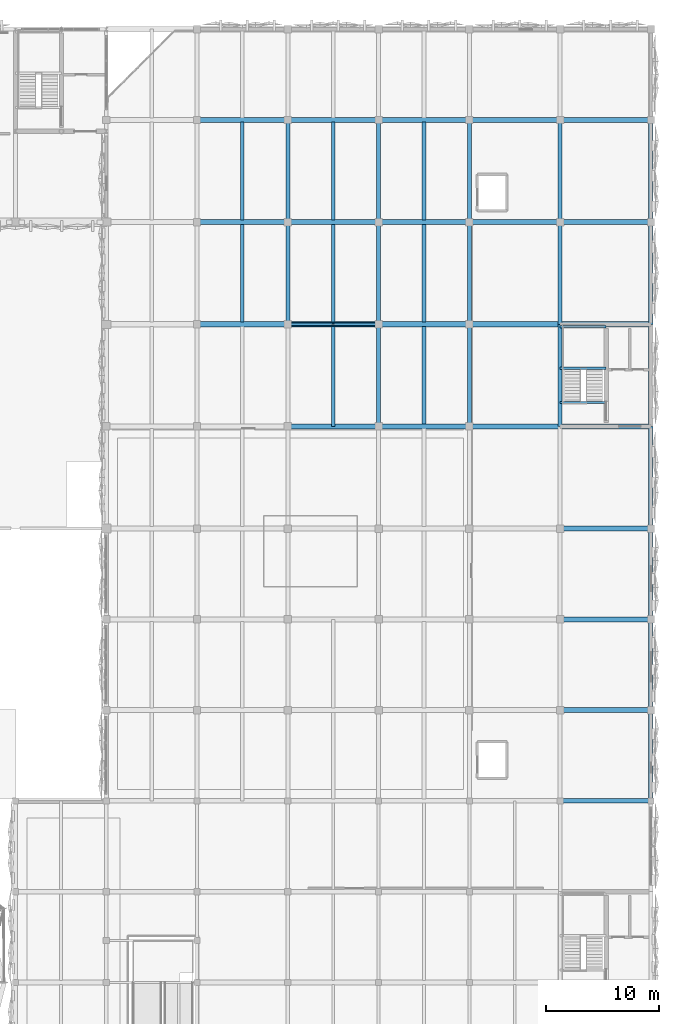
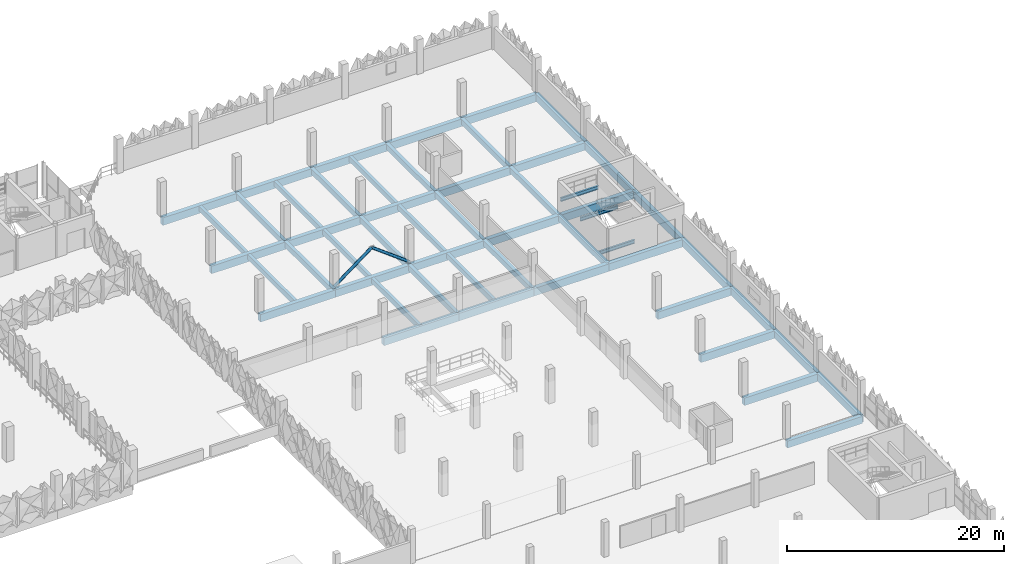
# One storey, part 32 of 96: 52 beams, 2 members.
"""IFC4 building model written with IfcOpenShell, lengths in metres."""

from ifc_helpers import new_model, si_unit, derived_unit, direction, frame, origin, origin_2d, place, context, subcontext, project, spatial, rectangle, hollow_circle, i_section, extrude, material, material_profile, profile_set, type_object, element, save


model = new_model("IFC4")

# Units and contexts
model_context = context("Model", 3, precision=1e-05, world=origin(), true_north=direction((0.0, 1.0)))
body_context = subcontext(model_context, "Body", "Model", "MODEL_VIEW")
ifc_project = project(units=[si_unit("LENGTHUNIT", "METRE"), si_unit("AREAUNIT", "SQUARE_METRE"), si_unit("VOLUMEUNIT", "CUBIC_METRE"), si_unit("PLANEANGLEUNIT", "RADIAN"), si_unit("MASSUNIT", "GRAM", prefix="KILO"), si_unit("THERMODYNAMICTEMPERATUREUNIT", "KELVIN"), derived_unit("THERMALTRANSMITTANCEUNIT", [(si_unit("POWERUNIT", "WATT"), 1), (si_unit("AREAUNIT", "SQUARE_METRE"), -1), (si_unit("THERMODYNAMICTEMPERATUREUNIT", "KELVIN"), -1)])], contexts=[model_context])

# Site, building, storey
site_placement = place(None, origin())
site = spatial("IfcSite", under=ifc_project, at=site_placement, CompositionType="ELEMENT")
building_placement = place(site_placement, origin())
building = spatial("IfcBuilding", under=site, at=building_placement, Name="Haiyu Intermodal Mobility Hub", CompositionType="ELEMENT")
storey_placement = place(building_placement, frame((0.0, 0.0, 9.5)))
storey = spatial("IfcBuildingStorey", under=building, at=storey_placement, Name="L02", CompositionType="ELEMENT", Elevation=9.5)

# Beams
ifc_material_1 = material(Name="Concrete C40", Category="concrete")
ifc_material_profile_1 = material_profile(ifc_material_1, rectangle(XDim=0.449951171875, YDim=0.85009765625, at=origin_2d()), Name="RCB450x850")
ifc_profile_set_1 = profile_set([ifc_material_profile_1], Name="Concrete C40")
beam_type_1 = type_object("IfcBeamType", Name="BM-CB02", PredefinedType="BEAM", material=ifc_profile_set_1)
for number, where, z_axis, x_axis, name in (
    (1, (202.0, 88.0, -0.68505859375), (1.0, 0.0, 0.0), (0.0, 1.0, 0.0), "BM-V6G-L02-012"),
    (2, (202.0, 96.0, -0.68505859375), (1.0, 0.0, 0.0), (0.0, 1.0, 0.0), "BM-V6G-L02-018"),
    (3, (202.0, 104.0, -0.68505859375), (1.0, 0.0, 0.0), (0.0, 1.0, 0.0), "BM-V6G-L02-024"),
    (4, (178.0, 113.0, -0.68505859375), (1.0, 0.0, 0.0), (0.0, 1.0, 0.0), "BM-V6G-L02-027"),
    (5, (186.0, 113.0, -0.68505859375), (1.0, 0.0, 0.0), (0.0, 1.0, 0.0), "BM-V6G-L02-028"),
    (6, (194.0, 113.0, -0.68505859375), (1.0, 0.0, 0.0), (0.0, 1.0, 0.0), "BM-V6G-L02-029"),
    (7, (202.0, 113.0, -0.68505859375), (1.0, 0.0, 0.0), (0.0, 1.0, 0.0), "BM-V6G-L02-030"),
    (8, (170.0, 122.0, -0.68505859375), (1.0, 0.0, 0.0), (0.0, 1.0, 0.0), "BM-V6G-L02-032"),
    (9, (178.0, 122.0, -0.68505859375), (1.0, 0.0, 0.0), (0.0, 1.0, 0.0), "BM-V6G-L02-033"),
    (10, (186.0, 122.0, -0.68505859375), (1.0, 0.0, 0.0), (0.0, 1.0, 0.0), "BM-V6G-L02-034"),
    (11, (194.0, 122.0, -0.68505859375), (1.0, 0.0, 0.0), (0.0, 1.0, 0.0), "BM-V6G-L02-035"),
    (12, (202.0, 122.0, -0.68505859375), (1.0, 0.0, 0.0), (0.0, 1.0, 0.0), "BM-V6G-L02-036"),
    (13, (170.0, 131.0, -0.68505859375), (1.0, 0.0, 0.0), (0.0, 1.0, 0.0), "BM-V6G-L02-038"),
    (14, (178.0, 131.0, -0.68505859375), (1.0, 0.0, 0.0), (0.0, 1.0, 0.0), "BM-V6G-L02-039"),
    (15, (186.0, 131.0, -0.68505859375), (1.0, 0.0, 0.0), (0.0, 1.0, 0.0), "BM-V6G-L02-040"),
    (16, (194.0, 131.0, -0.68505859375), (1.0, 0.0, 0.0), (0.0, 1.0, 0.0), "BM-V6G-L02-041"),
    (17, (202.0, 131.0, -0.68505859375), (1.0, 0.0, 0.0), (0.0, 1.0, 0.0), "BM-V6G-L02-042"),
    (18, (170.0, 140.0, -0.68505859375), (1.0, 0.0, 0.0), (0.0, 1.0, 0.0), "BM-V6G-L02-044"),
    (19, (178.0, 140.0, -0.68505859375), (1.0, 0.0, 0.0), (0.0, 1.0, 0.0), "BM-V6G-L02-045"),
    (20, (186.0, 140.0, -0.68505859375), (1.0, 0.0, 0.0), (0.0, 1.0, 0.0), "BM-V6G-L02-046"),
    (21, (194.0, 140.0, -0.68505859375), (1.0, 0.0, 0.0), (0.0, 1.0, 0.0), "BM-V6G-L02-047"),
    (22, (202.0, 140.0, -0.68505859375), (1.0, 0.0, 0.0), (0.0, 1.0, 0.0), "BM-V6G-L02-048"),
):
    element("IfcBeam", number, at=place(storey_placement, frame(where, z_axis=z_axis, x_axis=x_axis)), inside=storey, type_object=beam_type_1, Name=name, PredefinedType="BEAM", context=body_context, shape_type="SweptSolid", body=[
        extrude(rectangle(XDim=0.449951171875, YDim=0.85009765625, at=origin_2d()), origin(), (0.0, 0.0, 1.0), 8.0),
    ])
ifc_material_profile_2 = material_profile(ifc_material_1, rectangle(XDim=0.39990234375, YDim=0.800048828125, at=origin_2d()), Name="RCB400x800")
ifc_profile_set_2 = profile_set([ifc_material_profile_2], Name="Concrete C40")
beam_type_2 = type_object("IfcBeamType", Name="BM-CB05", PredefinedType="BEAM", material=ifc_profile_set_2)
for number, where, z_axis, x_axis, name in (
    (23, (202.0, 80.0, -0.659912109375), (1.0, 0.0, 0.0), (0.0, 1.0, 0.0), "BM-V5G-L02-062"),
    (24, (210.0, 80.0, -0.659912109375), (0.0, 1.0, 0.0), (-1.0, 0.0, 0.0), "BM-V6T-L02-049"),
    (25, (210.0, 88.0, -0.659912109375), (0.0, 1.0, 0.0), (-1.0, 0.0, 0.0), "BM-V6T-L02-050"),
    (26, (210.0, 96.0, -0.659912109375), (0.0, 1.0, 0.0), (-1.0, 0.0, 0.0), "BM-V6T-L02-051"),
):
    element("IfcBeam", number, at=place(storey_placement, frame(where, z_axis=z_axis, x_axis=x_axis)), inside=storey, type_object=beam_type_2, Name=name, PredefinedType="BEAM", context=body_context, shape_type="SweptSolid", body=[
        extrude(rectangle(XDim=0.39990234375, YDim=0.800048828125, at=origin_2d()), origin(), (0.0, 0.0, 1.0), 8.0),
    ])
for number, where, z_axis, x_axis, name in (
    (27, (210.0, 104.0, -0.659912109375), (0.0, 1.0, 0.0), (-1.0, 0.0, 0.0), "BM-V6T-L02-052"),
    (28, (210.0, 113.0, -0.659912109375), (0.0, 1.0, 0.0), (-1.0, 0.0, 0.0), "BM-V6T-L02-053"),
    (29, (210.0, 122.0, -0.659912109375), (0.0, 1.0, 0.0), (-1.0, 0.0, 0.0), "BM-V6T-L02-054"),
    (30, (210.0, 131.0, -0.659912109375), (0.0, 1.0, 0.0), (-1.0, 0.0, 0.0), "BM-V6T-L02-055"),
):
    element("IfcBeam", number, at=place(storey_placement, frame(where, z_axis=z_axis, x_axis=x_axis)), inside=storey, type_object=beam_type_2, Name=name, PredefinedType="BEAM", context=body_context, shape_type="SweptSolid", body=[
        extrude(rectangle(XDim=0.39990234375, YDim=0.800048828125, at=origin_2d()), origin(), (0.0, 0.0, 1.0), 9.0),
    ])
ifc_material_profile_3 = material_profile(ifc_material_1, rectangle(XDim=0.360107421875, YDim=0.6201171875, at=origin_2d()), Name="B360x620")
ifc_profile_set_3 = profile_set([ifc_material_profile_3], Name="Concrete C40")
beam_type_3 = type_object("IfcBeamType", Name="BM-CB16", PredefinedType="BEAM", material=ifc_profile_set_3)
for number, where, z_axis, x_axis, name in (
    (31, (178.0, 122.0, -0.570068359375), (0.0, 1.0, 0.0), (-1.0, 0.0, 0.0), "BM-V6T-L02-022"),
    (32, (178.0, 131.0, -0.570068359375), (0.0, 1.0, 0.0), (-1.0, 0.0, 0.0), "BM-V6T-L02-023"),
    (33, (186.0, 113.0, -0.570068359375), (0.0, 1.0, 0.0), (-1.0, 0.0, 0.0), "BM-V6T-L02-029"),
    (34, (186.0, 122.0, -0.570068359375), (0.0, 1.0, 0.0), (-1.0, 0.0, 0.0), "BM-V6T-L02-030"),
    (35, (186.0, 131.0, -0.570068359375), (0.0, 1.0, 0.0), (-1.0, 0.0, 0.0), "BM-V6T-L02-031"),
    (36, (194.0, 113.0, -0.570068359375), (0.0, 1.0, 0.0), (-1.0, 0.0, 0.0), "BM-V6T-L02-037"),
    (37, (194.0, 122.0, -0.570068359375), (0.0, 1.0, 0.0), (-1.0, 0.0, 0.0), "BM-V6T-L02-038"),
    (38, (194.0, 131.0, -0.570068359375), (0.0, 1.0, 0.0), (-1.0, 0.0, 0.0), "BM-V6T-L02-039"),
    (39, (202.0, 113.0, -0.570068359375), (0.0, 1.0, 0.0), (-1.0, 0.0, 0.0), "BM-V6T-L02-045"),
    (40, (202.0, 122.0, -0.570068359375), (0.0, 1.0, 0.0), (-1.0, 0.0, 0.0), "BM-V6T-L02-046"),
    (41, (202.0, 131.0, -0.570068359375), (0.0, 1.0, 0.0), (-1.0, 0.0, 0.0), "BM-V6T-L02-047"),
):
    element("IfcBeam", number, at=place(storey_placement, frame(where, z_axis=z_axis, x_axis=x_axis)), inside=storey, type_object=beam_type_3, Name=name, PredefinedType="BEAM", context=body_context, shape_type="SweptSolid", body=[
        extrude(rectangle(XDim=0.360107421875, YDim=0.6201171875, at=origin_2d()), origin(), (0.0, 0.0, 1.0), 9.0),
    ])
ifc_material_profile_4 = material_profile(ifc_material_1, rectangle(XDim=0.320068359375, YDim=0.580078125, at=origin_2d()), Name="B320x580")
ifc_profile_set_4 = profile_set([ifc_material_profile_4], Name="Concrete C40")
beam_type_4 = type_object("IfcBeamType", Name="BM-CB17", PredefinedType="JOIST", material=ifc_profile_set_4)
for number, where, z_axis, x_axis, name in (
    (42, (174.0, 122.195068359375, -0.550048828125), (0.0, 1.0, 0.0), (-1.0, 0.0, 0.0), "BM-V6J-L02-014"),
    (43, (174.0, 131.195068359375, -0.550048828125), (0.0, 1.0, 0.0), (-1.0, 0.0, 0.0), "BM-V6J-L02-015"),
):
    element("IfcBeam", number, at=place(storey_placement, frame(where, z_axis=z_axis, x_axis=x_axis)), inside=storey, type_object=beam_type_4, Name=name, PredefinedType="JOIST", context=body_context, shape_type="SweptSolid", body=[
        extrude(rectangle(XDim=0.320068359375, YDim=0.580078125, at=origin_2d()), origin(), (0.0, 0.0, 1.0), 8.60986328125),
    ])
beam_placement = place(storey_placement, frame((182.0, 113.0, -0.550048828125), z_axis=(0.0, 1.0, 0.0), x_axis=(-1.0, 0.0, 0.0)))
element("IfcBeam", 44, at=beam_placement, inside=storey, type_object=beam_type_4, Name="BM-V6J-L02-019", PredefinedType="JOIST", context=body_context, shape_type="SweptSolid", body=[
    extrude(rectangle(XDim=0.320068359375, YDim=0.580078125, at=origin_2d()), origin(), (0.0, 0.0, 1.0), 8.804931640625),
])
for number, where, z_axis, x_axis, name in (
    (45, (182.0, 122.195068359375, -0.550048828125), (0.0, 1.0, 0.0), (-1.0, 0.0, 0.0), "BM-V6J-L02-020"),
    (46, (182.0, 131.195068359375, -0.550048828125), (0.0, 1.0, 0.0), (-1.0, 0.0, 0.0), "BM-V6J-L02-021"),
    (47, (190.0, 113.195068359375, -0.550048828125), (0.0, 1.0, 0.0), (-1.0, 0.0, 0.0), "BM-V6J-L02-027"),
    (48, (190.0, 122.195068359375, -0.550048828125), (0.0, 1.0, 0.0), (-1.0, 0.0, 0.0), "BM-V6J-L02-028"),
    (49, (190.0, 131.195068359375, -0.550048828125), (0.0, 1.0, 0.0), (-1.0, 0.0, 0.0), "BM-V6J-L02-029"),
):
    element("IfcBeam", number, at=place(storey_placement, frame(where, z_axis=z_axis, x_axis=x_axis)), inside=storey, type_object=beam_type_4, Name=name, PredefinedType="JOIST", context=body_context, shape_type="SweptSolid", body=[
        extrude(rectangle(XDim=0.320068359375, YDim=0.580078125, at=origin_2d()), origin(), (0.0, 0.0, 1.0), 8.60986328125),
    ])
ifc_material_2 = material(Name="Steel Q355C", Category="steel")
ifc_material_profile_5 = material_profile(ifc_material_2, i_section(OverallWidth=0.199951171875, OverallDepth=0.39990234375, WebThickness=0.008056640625, FlangeThickness=0.012939453125, FilletRadius=0.01611328125, at=origin_2d()), Name="HN400x200x8x13")
ifc_profile_set_5 = profile_set([ifc_material_profile_5], Name="Steel Q355C")
beam_type_5 = type_object("IfcBeamType", Name="BM-SB08", PredefinedType="JOIST", material=ifc_profile_set_5)
for number, where, z_axis, x_axis, name in (
    (50, (202.0, 115.10009765625, -0.52490234375), (1.0, 0.0, 0.0), (0.0, 1.0, 0.0), "Stair Arrival Trimmer Beam C10-L01"),
    (51, (202.0, 118.1298828125, 1.52490234375), (1.0, 0.0, 0.0), (0.0, 1.0, 0.0), "Stair Half-Landing Front Beam C10-L02"),
    (52, (202.0, 121.780029296875, 1.52490234375), (1.0, 0.0, 0.0), (0.0, 1.0, 0.0), "Stair Half-Landing Rear Beam C10-L02"),
):
    element("IfcBeam", number, at=place(storey_placement, frame(where, z_axis=z_axis, x_axis=x_axis)), inside=storey, type_object=beam_type_5, Name=name, PredefinedType="JOIST", context=body_context, shape_type="SweptSolid", body=[
        extrude(i_section(OverallWidth=0.199951171875, OverallDepth=0.39990234375, WebThickness=0.008056640625, FlangeThickness=0.012939453125, FilletRadius=0.01611328125, at=origin_2d()), origin(), (0.0, 0.0, 1.0), 4.050048828125),
    ])

# Members
ifc_material_profile_6 = material_profile(ifc_material_2, hollow_circle(Radius=0.1494140625, WallThickness=0.010009765625, at=origin_2d()), Name="CHS299x10")
ifc_profile_set_6 = profile_set([ifc_material_profile_6], Name="Steel Q355C")
member_type = type_object("IfcMemberType", Name="MEM-BR02", PredefinedType="BRACE", material=ifc_profile_set_6)
for number, where, z_axis, x_axis, name in (
    (53, (178.0, 122.0, 0.0), (0.8, 0.0, 0.6), (0.0, 1.0, 0.0), "Seismic Chevron Brace B6-L02-A"),
    (54, (186.0, 122.0, 0.0), (-0.8, 0.0, 0.6), (0.0, -1.0, 0.0), "Seismic Chevron Brace B6-L02-B"),
):
    element("IfcMember", number, at=place(storey_placement, frame(where, z_axis=z_axis, x_axis=x_axis)), inside=storey, type_object=member_type, Name=name, PredefinedType="BRACE", context=body_context, shape_type="SweptSolid", body=[
        extrude(hollow_circle(Radius=0.1494140625, WallThickness=0.010009765625, at=origin_2d()), origin(), (0.0, 0.0, 1.0), 5.0),
    ])

save(model, "model.ifc")
